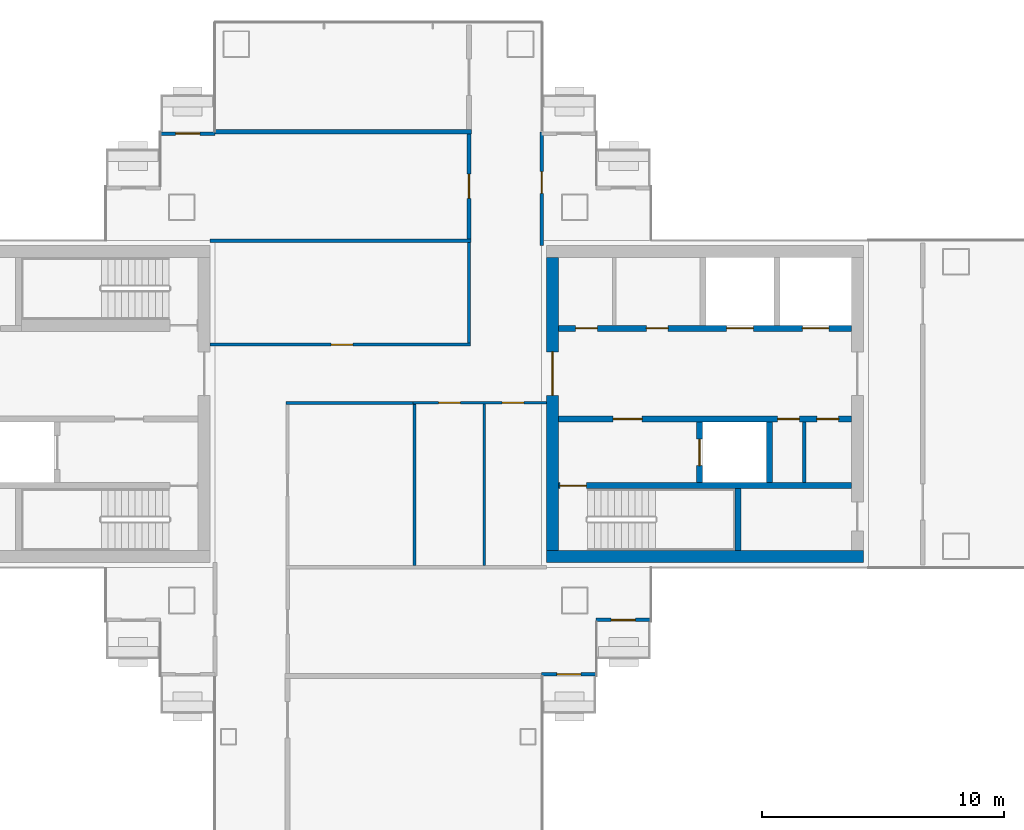
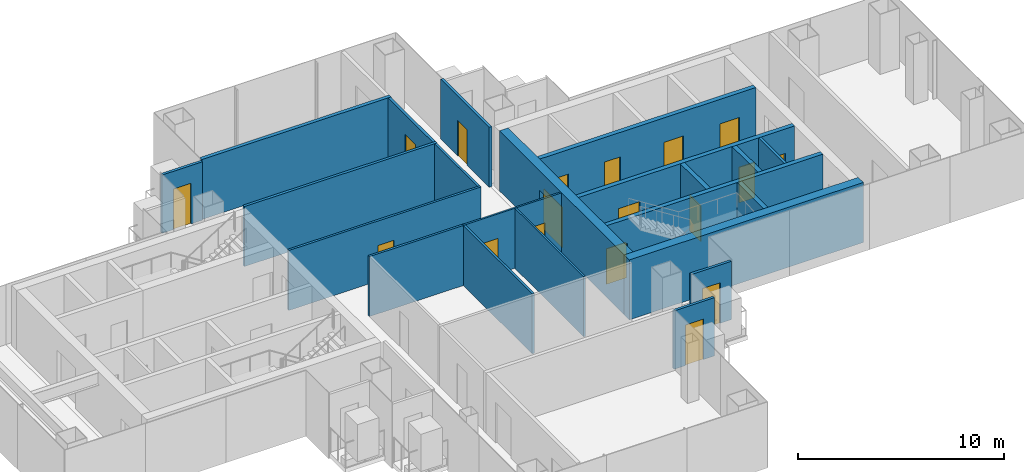
# One storey, part 10 of 16: 22 walls, 18 doors, 18 openings.
"""IFC4 building model written with IfcOpenShell, lengths in metres."""

from ifc_helpers import new_model, si_unit, direction, frame, frame_2d, origin, place, context, subcontext, project, spatial, rectangle, extrude, material, layer, layer_set, type_object, element, fill, save


model = new_model("IFC4")

# Units and contexts
model_context = context("Model", 3, precision=1e-05, world=origin(), true_north=direction((0.0, 1.0)))
body_context = subcontext(model_context, "Body", "Model", "MODEL_VIEW")
ifc_project = project(units=[si_unit("LENGTHUNIT", "METRE"), si_unit("AREAUNIT", "SQUARE_METRE"), si_unit("VOLUMEUNIT", "CUBIC_METRE"), si_unit("PLANEANGLEUNIT", "RADIAN"), si_unit("MASSUNIT", "GRAM", prefix="KILO")], contexts=[model_context])

# Site, building, storey
site_placement = place(None, origin())
site = spatial("IfcSite", under=ifc_project, at=site_placement, CompositionType="ELEMENT")
building_placement = place(site_placement, origin())
building = spatial("IfcBuilding", under=site, at=building_placement, Name="Shamsa Quay Exchange Towers", CompositionType="ELEMENT")
storey_placement = place(building_placement, frame((0.0, 0.0, 142.800048828125)))
storey = spatial("IfcBuildingStorey", under=building, at=storey_placement, Name="L33", CompositionType="ELEMENT", Elevation=142.800048828125)

# Wall
ifc_material_1 = material(Name="Double-leaf gypsum board partition with acoustic insulation")
ifc_layer_1 = layer(ifc_material_1, 0.199951171875)
ifc_layer_set_1 = layer_set([ifc_layer_1], Name="Acoustic partition 200 mm EI 60")
wall_type_1 = type_object("IfcWallType", Name="Acoustic partition 200 mm EI 60", PredefinedType="PARTITIONING", material=ifc_layer_set_1)
wall_1_placement = place(storey_placement, frame((-29.89990234375, 11.25, 0.0), z_axis=(0.0, 0.0, 1.0), x_axis=(-1.0, 0.0, 0.0)))
element("IfcWall", 1, at=wall_1_placement, inside=storey, type_object=wall_type_1, Name="Partition T1-R15-W13", PredefinedType="PARTITIONING", context=body_context, shape_type="SweptSolid", body=[
    extrude(rectangle(XDim=10.60009765625, YDim=0.199951171875, at=frame_2d((5.300048828125, 0.0))), origin(), (0.0, 0.0, 1.0), 3.550048828125),
])

# Wall, opening, door
ifc_material_2 = material(Name="Aluminium EN AW-6063 T6, black anodised, with black enamelled glass infill", Category="aluminium")
ifc_layer_2 = layer(ifc_material_2, 0.14990234375)
ifc_layer_set_2 = layer_set([ifc_layer_2], Name="BALCONY DOOR BAY WALL 150")
wall_type_2 = type_object("IfcWallType", Name="BALCONY DOOR BAY WALL 150", PredefinedType="SOLIDWALL", material=ifc_layer_set_2)
wall_2_placement = place(storey_placement, frame((-22.5, -8.925048828125, 0.0), z_axis=(0.0, 0.0, 1.0), x_axis=(-1.0, 0.0, 0.0)))
wall_2 = element("IfcWall", 2, at=wall_2_placement, inside=storey, type_object=wall_type_2, Name="Door bay T1-PKES L33", PredefinedType="SOLIDWALL", context=body_context, shape_type="SweptSolid", body=[
    extrude(rectangle(XDim=2.25, YDim=0.14990234375, at=frame_2d((1.125, 0.0))), origin(), (0.0, 0.0, 1.0), 3.449951171875),
])
opening_1_placement = place(wall_2_placement, frame((0.625, 0.0, 0.0)))
opening_1 = element("IfcOpeningElement", 3, at=opening_1_placement, cuts=wall_2, Name="Opening XD211", PredefinedType="OPENING", context=body_context, shape_type="SweptSolid", body=[
    extrude(rectangle(XDim=1.0, YDim=2.39990234375, at=frame_2d((0.5, 1.199951171875))), frame((0.0, 0.0849609375, 0.0), z_axis=(0.0, -1.0, 0.0), x_axis=(1.0, 0.0, 0.0)), (0.0, 0.0, 1.0), 0.169921875),
])
ifc_material_3 = material(Name="Aluminium EN AW-6063 T6, black anodised, with laminated glass leaf", Category="aluminium")
door_type_1 = type_object("IfcDoorType", Name="BALCONY DOOR 1000x2400", OperationType="SINGLE_SWING_LEFT", PredefinedType="DOOR", material=ifc_material_3)
door_1_placement = place(opening_1_placement, origin())
door_1 = element("IfcDoor", 4, at=door_1_placement, inside=storey, type_object=door_type_1, Name="Balcony door T1-PKES L33", OperationType="SINGLE_SWING_RIGHT", OverallHeight=2.39990234375, OverallWidth=1.0, PredefinedType="DOOR", context=body_context, shape_type="SweptSolid", body=[
    extrude(rectangle(XDim=1.0, YDim=2.39990234375, at=frame_2d((0.5, 1.199951171875))), frame((0.0, 0.02490234375, 0.0), z_axis=(0.0, -1.0, 0.0), x_axis=(1.0, 0.0, 0.0)), (0.0, 0.0, 1.0), 0.050048828125),
])
fill(opening_1, door_1)

wall_3_placement = place(storey_placement, frame((-24.75, -11.175048828125, 0.0), z_axis=(0.0, 0.0, 1.0), x_axis=(-1.0, 0.0, 0.0)))
wall_3 = element("IfcWall", 5, at=wall_3_placement, inside=storey, type_object=wall_type_2, Name="Door bay T1-PKES L33", PredefinedType="SOLIDWALL", context=body_context, shape_type="SweptSolid", body=[
    extrude(rectangle(XDim=2.25, YDim=0.14990234375, at=frame_2d((1.125, 0.0))), origin(), (0.0, 0.0, 1.0), 3.449951171875),
])
opening_2_placement = place(wall_3_placement, frame((0.625, 0.0, 0.0)))
opening_2 = element("IfcOpeningElement", 6, at=opening_2_placement, cuts=wall_3, Name="Opening XD212", PredefinedType="OPENING", context=body_context, shape_type="SweptSolid", body=[
    extrude(rectangle(XDim=1.0, YDim=2.39990234375, at=frame_2d((0.5, 1.199951171875))), frame((0.0, 0.0849609375, 0.0), z_axis=(0.0, -1.0, 0.0), x_axis=(1.0, 0.0, 0.0)), (0.0, 0.0, 1.0), 0.169921875),
])
door_2_placement = place(opening_2_placement, origin())
door_2 = element("IfcDoor", 7, at=door_2_placement, inside=storey, type_object=door_type_1, Name="Balcony door T1-PKES L33", OperationType="SINGLE_SWING_LEFT", OverallHeight=2.39990234375, OverallWidth=1.0, PredefinedType="DOOR", context=body_context, shape_type="SweptSolid", body=[
    extrude(rectangle(XDim=1.0, YDim=2.39990234375, at=frame_2d((0.5, 1.199951171875))), frame((0.0, 0.02490234375, 0.0), z_axis=(0.0, -1.0, 0.0), x_axis=(1.0, 0.0, 0.0)), (0.0, 0.0, 1.0), 0.050048828125),
])
fill(opening_2, door_2)

wall_4_placement = place(storey_placement, frame((-42.75, 11.175048828125, 0.0)))
wall_4 = element("IfcWall", 8, at=wall_4_placement, inside=storey, type_object=wall_type_2, Name="Door bay T1-PKWN L33", PredefinedType="SOLIDWALL", context=body_context, shape_type="SweptSolid", body=[
    extrude(rectangle(XDim=2.25, YDim=0.14990234375, at=frame_2d((1.125, 0.0))), origin(), (0.0, 0.0, 1.0), 3.449951171875),
])
opening_3_placement = place(wall_4_placement, frame((0.625, 0.0, 0.0)))
opening_3 = element("IfcOpeningElement", 9, at=opening_3_placement, cuts=wall_4, Name="Opening XD213", PredefinedType="OPENING", context=body_context, shape_type="SweptSolid", body=[
    extrude(rectangle(XDim=1.0, YDim=2.39990234375, at=frame_2d((0.5, 1.199951171875))), frame((0.0, 0.0849609375, 0.0), z_axis=(0.0, -1.0, 0.0), x_axis=(1.0, 0.0, 0.0)), (0.0, 0.0, 1.0), 0.169921875),
])
door_3_placement = place(opening_3_placement, origin())
door_3 = element("IfcDoor", 10, at=door_3_placement, inside=storey, type_object=door_type_1, Name="Balcony door T1-PKWN L33", OperationType="SINGLE_SWING_LEFT", OverallHeight=2.39990234375, OverallWidth=1.0, PredefinedType="DOOR", context=body_context, shape_type="SweptSolid", body=[
    extrude(rectangle(XDim=1.0, YDim=2.39990234375, at=frame_2d((0.5, 1.199951171875))), frame((0.0, 0.02490234375, 0.0), z_axis=(0.0, -1.0, 0.0), x_axis=(1.0, 0.0, 0.0)), (0.0, 0.0, 1.0), 0.050048828125),
])
fill(opening_3, door_3)

# Wall
ifc_material_4 = material(Name="Concrete C60/75", Category="concrete")
ifc_layer_3 = layer(ifc_material_4, 0.5)
ifc_layer_set_3 = layer_set([ifc_layer_3], Name="CORE WALL 500 C60/75")
wall_type_3 = type_object("IfcWallType", Name="CORE WALL 500 C60/75", PredefinedType="SHEAR", material=ifc_layer_set_3)
wall_5_placement = place(storey_placement, frame((-26.800048828125, -6.300048828125, 0.0)))
element("IfcWall", 11, at=wall_5_placement, inside=storey, type_object=wall_type_3, Name="Core wall T1A-R15-PS", PredefinedType="SHEAR", context=body_context, shape_type="SweptSolid", body=[
    extrude(rectangle(XDim=13.10009765625, YDim=0.5, at=frame_2d((6.550048828125, 0.0))), origin(), (0.0, 0.0, 1.0), 3.550048828125),
])

# Wall, opening, door
wall_6_placement = place(storey_placement, frame((-26.550048828125, 6.050048828125, 0.0), z_axis=(0.0, 0.0, 1.0), x_axis=(0.0, -1.0, 0.0)))
wall_6 = element("IfcWall", 12, at=wall_6_placement, inside=storey, type_object=wall_type_3, Name="Core wall T1A-R15-PF", PredefinedType="SHEAR", context=body_context, shape_type="SweptSolid", body=[
    extrude(rectangle(XDim=12.10009765625, YDim=0.5, at=frame_2d((6.050048828125, 0.0))), origin(), (0.0, 0.0, 1.0), 3.550048828125),
])
opening_4_placement = place(wall_6_placement, frame((3.89990234375, 0.0, 0.0)))
opening_4 = element("IfcOpeningElement", 13, at=opening_4_placement, cuts=wall_6, Name="Opening T1A-R15-LBD01", PredefinedType="OPENING", context=body_context, shape_type="SweptSolid", body=[
    extrude(rectangle(XDim=1.800048828125, YDim=2.39990234375, at=frame_2d((0.89990234375, 1.199951171875))), frame((0.0, 0.260009765625, 0.0), z_axis=(0.0, -1.0, 0.0), x_axis=(1.0, 0.0, 0.0)), (0.0, 0.0, 1.0), 0.52001953125),
])
ifc_material_5 = material(Name="Steel, fire rated", Category="steel")
door_type_2 = type_object("IfcDoorType", Name="LIFT LOBBY DOOR PAIR 1800", OperationType="DOUBLE_DOOR_SINGLE_SWING", PredefinedType="DOOR", material=ifc_material_5)
door_4_placement = place(opening_4_placement, origin())
door_4 = element("IfcDoor", 14, at=door_4_placement, inside=storey, type_object=door_type_2, Name="T1A-R15-LBD01", OperationType="DOUBLE_DOOR_SINGLE_SWING", OverallHeight=2.39990234375, OverallWidth=1.800048828125, PredefinedType="DOOR", context=body_context, shape_type="SweptSolid", body=[
    extrude(rectangle(XDim=1.800048828125, YDim=2.39990234375, at=frame_2d((0.89990234375, 1.199951171875))), frame((0.0, 0.02490234375, 0.0), z_axis=(0.0, -1.0, 0.0), x_axis=(1.0, 0.0, 0.0)), (0.0, 0.0, 1.0), 0.050048828125),
])
fill(opening_4, door_4)

# Wall
ifc_material_6 = material(Name="Gypsum board on steel studs, EI 60", Category="steel")
ifc_layer_4 = layer(ifc_material_6, 0.14990234375)
ifc_layer_set_4 = layer_set([ifc_layer_4], Name="FIRE PARTITION 150")
wall_type_4 = type_object("IfcWallType", Name="FIRE PARTITION 150", PredefinedType="PARTITIONING", material=ifc_layer_set_4)
wall_7_placement = place(storey_placement, frame((-16.14990234375, -3.25, 0.0), z_axis=(0.0, 0.0, 1.0), x_axis=(0.0, 1.0, 0.0)))
element("IfcWall", 15, at=wall_7_placement, inside=storey, type_object=wall_type_4, Name="Partition T1A-R15-EC0", PredefinedType="PARTITIONING", context=body_context, shape_type="SweptSolid", body=[
    extrude(rectangle(XDim=2.5, YDim=0.14990234375, at=frame_2d((1.25, 0.0))), origin(), (0.0, 0.0, 1.0), 3.550048828125),
])

# Wall, opening, door
ifc_material_7 = material(Name="Laminated fire-resisting glass in a metal frame", Category="glass")
ifc_layer_5 = layer(ifc_material_7, 0.125)
ifc_layer_set_5 = layer_set([ifc_layer_5], Name="Glazed partition 125 mm EI 60")
wall_type_5 = type_object("IfcWallType", Name="Glazed partition 125 mm EI 60", PredefinedType="PARTITIONING", material=ifc_layer_set_5)
wall_8_placement = place(storey_placement, frame((-40.699951171875, 2.4501953125, 0.0)))
wall_8 = element("IfcWall", 16, at=wall_8_placement, inside=storey, type_object=wall_type_5, Name="Partition T1-R15-W03", PredefinedType="PARTITIONING", context=body_context, shape_type="SweptSolid", body=[
    extrude(rectangle(XDim=10.762451171875, YDim=0.125, at=frame_2d((5.38134765625, 0.0))), origin(), (0.0, 0.0, 1.0), 3.550048828125),
])
opening_5_placement = place(wall_8_placement, frame((5.0, 0.0, 0.0)))
opening_5 = element("IfcOpeningElement", 17, at=opening_5_placement, cuts=wall_8, Name="Opening T1-R15-D02", PredefinedType="OPENING", context=body_context, shape_type="SweptSolid", body=[
    extrude(rectangle(XDim=0.89990234375, YDim=2.10009765625, at=frame_2d((0.449951171875, 1.050048828125))), frame((0.0, 0.072509765625, 0.0), z_axis=(0.0, -1.0, 0.0), x_axis=(1.0, 0.0, 0.0)), (0.0, 0.0, 1.0), 0.14501953125),
])
ifc_material_8 = material(Name="Timber door leaf in a metal frame", Category="wood")
door_type_3 = type_object("IfcDoorType", Name="Door 900x2100 FD30S", OperationType="NOTDEFINED", PredefinedType="DOOR", material=ifc_material_8)
door_5_placement = place(opening_5_placement, origin())
door_5 = element("IfcDoor", 18, at=door_5_placement, inside=storey, type_object=door_type_3, Name="Door T1-R15-D02", OperationType="SINGLE_SWING_LEFT", OverallHeight=2.10009765625, OverallWidth=0.89990234375, PredefinedType="DOOR", context=body_context, shape_type="SweptSolid", body=[
    extrude(rectangle(XDim=0.89990234375, YDim=2.10009765625, at=frame_2d((0.449951171875, 1.050048828125))), frame((0.0, 0.02490234375, 0.0), z_axis=(0.0, -1.0, 0.0), x_axis=(1.0, 0.0, 0.0)), (0.0, 0.0, 1.0), 0.050048828125),
])
fill(opening_5, door_5)

# Walls
wall_9_placement = place(storey_placement, frame((-30.0, 2.5126953125, 0.0), z_axis=(0.0, 0.0, 1.0), x_axis=(0.0, 1.0, 0.0)))
element("IfcWall", 19, at=wall_9_placement, inside=storey, type_object=wall_type_5, Name="Partition T1-R15-W04", PredefinedType="PARTITIONING", context=body_context, shape_type="SweptSolid", body=[
    extrude(rectangle(XDim=4.162353515625, YDim=0.125, at=frame_2d((2.0810546875, 0.0))), origin(), (0.0, 0.0, 1.0), 3.550048828125),
])
wall_10_placement = place(storey_placement, frame((-32.1875, 0.0498046875, 0.0), z_axis=(0.0, 0.0, 1.0), x_axis=(-1.0, 0.0, 0.0)))
element("IfcWall", 20, at=wall_10_placement, inside=storey, type_object=wall_type_5, Name="Partition T1-R15-W07", PredefinedType="PARTITIONING", context=body_context, shape_type="SweptSolid", body=[
    extrude(rectangle(XDim=5.375, YDim=0.125, at=frame_2d((2.6875, 0.0))), origin(), (0.0, 0.0, 1.0), 3.550048828125),
])
wall_11_placement = place(storey_placement, frame((-32.25, -6.675048828125, 0.0), z_axis=(0.0, 0.0, 1.0), x_axis=(0.0, 1.0, 0.0)))
element("IfcWall", 21, at=wall_11_placement, inside=storey, type_object=wall_type_5, Name="Partition T1-R15-W17", PredefinedType="PARTITIONING", context=body_context, shape_type="SweptSolid", body=[
    extrude(rectangle(XDim=6.662353515625, YDim=0.125, at=frame_2d((3.3310546875, 0.0))), origin(), (0.0, 0.0, 1.0), 3.550048828125),
])

# Wall, openings, doors
ifc_material_9 = material(Name="Gypsum board partition on metal studs")
ifc_layer_6 = layer(ifc_material_9, 0.10009765625)
ifc_layer_set_6 = layer_set([ifc_layer_6], Name="Partition 100 mm NOT RATED")
wall_type_6 = type_object("IfcWallType", Name="Partition 100 mm NOT RATED", PredefinedType="PARTITIONING", material=ifc_layer_set_6)
wall_12_placement = place(storey_placement, frame((-26.800048828125, 0.0498046875, 0.0), z_axis=(0.0, 0.0, 1.0), x_axis=(-1.0, 0.0, 0.0)))
wall_12 = element("IfcWall", 22, at=wall_12_placement, inside=storey, type_object=wall_type_6, Name="Partition T1-R15-W09", PredefinedType="PARTITIONING", context=body_context, shape_type="SweptSolid", body=[
    extrude(rectangle(XDim=5.512451171875, YDim=0.10009765625, at=frame_2d((2.75634765625, 0.0))), origin(), (0.0, 0.0, 1.0), 3.550048828125),
])
opening_6_placement = place(wall_12_placement, frame((0.9375, 0.0, 0.0)))
opening_6 = element("IfcOpeningElement", 23, at=opening_6_placement, cuts=wall_12, Name="Opening T1-R15-D09", PredefinedType="OPENING", context=body_context, shape_type="SweptSolid", body=[
    extrude(rectangle(XDim=0.89990234375, YDim=2.10009765625, at=frame_2d((0.449951171875, 1.050048828125))), frame((0.0, 0.06005859375, 0.0), z_axis=(0.0, -1.0, 0.0), x_axis=(1.0, 0.0, 0.0)), (0.0, 0.0, 1.0), 0.1201171875),
])
opening_7_placement = place(wall_12_placement, frame((3.5625, 0.0, 0.0)))
opening_7 = element("IfcOpeningElement", 24, at=opening_7_placement, cuts=wall_12, Name="Opening T1-R15-D10", PredefinedType="OPENING", context=body_context, shape_type="SweptSolid", body=[
    extrude(rectangle(XDim=0.89990234375, YDim=2.10009765625, at=frame_2d((0.449951171875, 1.050048828125))), frame((0.0, 0.06005859375, 0.0), z_axis=(0.0, -1.0, 0.0), x_axis=(1.0, 0.0, 0.0)), (0.0, 0.0, 1.0), 0.1201171875),
])
door_type_4 = type_object("IfcDoorType", Name="Door 900x2100 NOT RATED", OperationType="NOTDEFINED", PredefinedType="DOOR", material=ifc_material_8)
door_6_placement = place(opening_6_placement, origin())
door_6 = element("IfcDoor", 25, at=door_6_placement, inside=storey, type_object=door_type_4, Name="Door T1-R15-D09", OperationType="SINGLE_SWING_LEFT", OverallHeight=2.10009765625, OverallWidth=0.89990234375, PredefinedType="DOOR", context=body_context, shape_type="SweptSolid", body=[
    extrude(rectangle(XDim=0.89990234375, YDim=2.10009765625, at=frame_2d((0.449951171875, 1.050048828125))), frame((0.0, 0.02490234375, 0.0), z_axis=(0.0, -1.0, 0.0), x_axis=(1.0, 0.0, 0.0)), (0.0, 0.0, 1.0), 0.050048828125),
])
fill(opening_6, door_6)
door_7_placement = place(opening_7_placement, origin())
door_7 = element("IfcDoor", 26, at=door_7_placement, inside=storey, type_object=door_type_4, Name="Door T1-R15-D10", OperationType="SINGLE_SWING_RIGHT", OverallHeight=2.10009765625, OverallWidth=0.89990234375, PredefinedType="DOOR", context=body_context, shape_type="SweptSolid", body=[
    extrude(rectangle(XDim=0.89990234375, YDim=2.10009765625, at=frame_2d((0.449951171875, 1.050048828125))), frame((0.0, 0.02490234375, 0.0), z_axis=(0.0, -1.0, 0.0), x_axis=(1.0, 0.0, 0.0)), (0.0, 0.0, 1.0), 0.050048828125),
])
fill(opening_7, door_7)

# Wall
wall_13_placement = place(storey_placement, frame((-29.375, -6.675048828125, 0.0), z_axis=(0.0, 0.0, 1.0), x_axis=(0.0, 1.0, 0.0)))
element("IfcWall", 27, at=wall_13_placement, inside=storey, type_object=wall_type_6, Name="Partition T1-R15-W18", PredefinedType="PARTITIONING", context=body_context, shape_type="SweptSolid", body=[
    extrude(rectangle(XDim=6.6748046875, YDim=0.10009765625, at=frame_2d((3.33740234375, 0.0))), origin(), (0.0, 0.0, 1.0), 3.550048828125),
])

# Wall, opening, door
ifc_layer_7 = layer(ifc_material_9, 0.14990234375)
ifc_layer_set_7 = layer_set([ifc_layer_7], Name="Partition 150 mm EI 60")
wall_type_7 = type_object("IfcWallType", Name="Partition 150 mm EI 60", PredefinedType="PARTITIONING", material=ifc_layer_set_7)
wall_14_placement = place(storey_placement, frame((-30.0, 6.824951171875, 0.0), z_axis=(0.0, 0.0, 1.0), x_axis=(0.0, 1.0, 0.0)))
wall_14 = element("IfcWall", 28, at=wall_14_placement, inside=storey, type_object=wall_type_7, Name="Partition T1-R15-W01", PredefinedType="PARTITIONING", context=body_context, shape_type="SweptSolid", body=[
    extrude(rectangle(XDim=4.324951171875, YDim=0.14990234375, at=frame_2d((2.16259765625, 0.0))), origin(), (0.0, 0.0, 1.0), 3.550048828125),
])
opening_8_placement = place(wall_14_placement, frame((1.675048828125, 0.0, 0.0)))
opening_8 = element("IfcOpeningElement", 29, at=opening_8_placement, cuts=wall_14, Name="Opening T1-R15-D07", PredefinedType="OPENING", context=body_context, shape_type="SweptSolid", body=[
    extrude(rectangle(XDim=1.0, YDim=2.39990234375, at=frame_2d((0.5, 1.199951171875))), frame((0.0, 0.0849609375, 0.0), z_axis=(0.0, -1.0, 0.0), x_axis=(1.0, 0.0, 0.0)), (0.0, 0.0, 1.0), 0.169921875),
])
door_type_5 = type_object("IfcDoorType", Name="Door 1000x2400 FD30S", OperationType="NOTDEFINED", PredefinedType="DOOR", material=ifc_material_8)
door_8_placement = place(opening_8_placement, origin())
door_8 = element("IfcDoor", 30, at=door_8_placement, inside=storey, type_object=door_type_5, Name="Door T1-R15-D07", OperationType="SINGLE_SWING_RIGHT", OverallHeight=2.39990234375, OverallWidth=1.0, PredefinedType="DOOR", context=body_context, shape_type="SweptSolid", body=[
    extrude(rectangle(XDim=1.0, YDim=2.39990234375, at=frame_2d((0.5, 1.199951171875))), frame((0.0, 0.02490234375, 0.0), z_axis=(0.0, -1.0, 0.0), x_axis=(1.0, 0.0, 0.0)), (0.0, 0.0, 1.0), 0.050048828125),
])
fill(opening_8, door_8)

wall_15_placement = place(storey_placement, frame((-27.0, 11.25, 0.0), z_axis=(0.0, 0.0, 1.0), x_axis=(0.0, -1.0, 0.0)))
wall_15 = element("IfcWall", 31, at=wall_15_placement, inside=storey, type_object=wall_type_7, Name="Partition T1-R15-W11", PredefinedType="PARTITIONING", context=body_context, shape_type="SweptSolid", body=[
    extrude(rectangle(XDim=4.699951171875, YDim=0.14990234375, at=frame_2d((2.35009765625, 0.0))), origin(), (0.0, 0.0, 1.0), 3.550048828125),
])
opening_9_placement = place(wall_15_placement, frame((1.64990234375, 0.0, 0.0)))
opening_9 = element("IfcOpeningElement", 32, at=opening_9_placement, cuts=wall_15, Name="Opening T1-R15-D11", PredefinedType="OPENING", context=body_context, shape_type="SweptSolid", body=[
    extrude(rectangle(XDim=0.89990234375, YDim=2.10009765625, at=frame_2d((0.449951171875, 1.050048828125))), frame((0.0, 0.0849609375, 0.0), z_axis=(0.0, -1.0, 0.0), x_axis=(1.0, 0.0, 0.0)), (0.0, 0.0, 1.0), 0.169921875),
])
door_9_placement = place(opening_9_placement, origin())
door_9 = element("IfcDoor", 33, at=door_9_placement, inside=storey, type_object=door_type_3, Name="Door T1-R15-D11", OperationType="SINGLE_SWING_RIGHT", OverallHeight=2.10009765625, OverallWidth=0.89990234375, PredefinedType="DOOR", context=body_context, shape_type="SweptSolid", body=[
    extrude(rectangle(XDim=0.89990234375, YDim=2.10009765625, at=frame_2d((0.449951171875, 1.050048828125))), frame((0.0, 0.02490234375, 0.0), z_axis=(0.0, -1.0, 0.0), x_axis=(1.0, 0.0, 0.0)), (0.0, 0.0, 1.0), 0.050048828125),
])
fill(opening_9, door_9)

# Wall
wall_16_placement = place(storey_placement, frame((-40.699951171875, 6.75, 0.0)))
element("IfcWall", 34, at=wall_16_placement, inside=storey, type_object=wall_type_7, Name="Partition T1-R15-W14", PredefinedType="PARTITIONING", context=body_context, shape_type="SweptSolid", body=[
    extrude(rectangle(XDim=10.77490234375, YDim=0.14990234375, at=frame_2d((5.387451171875, 0.0))), origin(), (0.0, 0.0, 1.0), 3.550048828125),
])

# Wall, opening, door
ifc_material_10 = material(Name="Concrete C50/60", Category="concrete")
ifc_layer_8 = layer(ifc_material_10, 0.25)
ifc_layer_set_8 = layer_set([ifc_layer_8], Name="SHAFT WALL 250 C50/60")
wall_type_8 = type_object("IfcWallType", Name="SHAFT WALL 250 C50/60", PredefinedType="SHEAR", material=ifc_layer_set_8)
wall_17_placement = place(storey_placement, frame((-14.199951171875, -3.375, 0.0), z_axis=(0.0, 0.0, 1.0), x_axis=(-1.0, 0.0, 0.0)))
wall_17 = element("IfcWall", 35, at=wall_17_placement, inside=storey, type_object=wall_type_8, Name="Shaft wall T1A-R15-STL", PredefinedType="SHEAR", context=body_context, shape_type="SweptSolid", body=[
    extrude(rectangle(XDim=12.10009765625, YDim=0.25, at=frame_2d((6.050048828125, 0.0))), origin(), (0.0, 0.0, 1.0), 3.550048828125),
])
opening_10_placement = place(wall_17_placement, frame((10.949951171875, 0.0, 0.0)))
opening_10 = element("IfcOpeningElement", 36, at=opening_10_placement, cuts=wall_17, Name="Opening T1A-R15-SD04", PredefinedType="OPENING", context=body_context, shape_type="SweptSolid", body=[
    extrude(rectangle(XDim=1.10009765625, YDim=2.10009765625, at=frame_2d((0.550048828125, 1.050048828125))), frame((0.0, 0.135009765625, 0.0), z_axis=(0.0, -1.0, 0.0), x_axis=(1.0, 0.0, 0.0)), (0.0, 0.0, 1.0), 0.27001953125),
])
door_type_6 = type_object("IfcDoorType", Name="STAIR DOOR 1100", OperationType="SINGLE_SWING_LEFT", PredefinedType="DOOR", material=ifc_material_5)
door_10_placement = place(opening_10_placement, origin())
door_10 = element("IfcDoor", 37, at=door_10_placement, inside=storey, type_object=door_type_6, Name="T1A-R15-SD04", OperationType="SINGLE_SWING_RIGHT", OverallHeight=2.10009765625, OverallWidth=1.10009765625, PredefinedType="DOOR", context=body_context, shape_type="SweptSolid", body=[
    extrude(rectangle(XDim=1.10009765625, YDim=2.10009765625, at=frame_2d((0.550048828125, 1.050048828125))), frame((0.0, 0.02490234375, 0.0), z_axis=(0.0, -1.0, 0.0), x_axis=(1.0, 0.0, 0.0)), (0.0, 0.0, 1.0), 0.050048828125),
])
fill(opening_10, door_10)

# Wall
wall_18_placement = place(storey_placement, frame((-18.875, -6.050048828125, 0.0), z_axis=(0.0, 0.0, 1.0), x_axis=(0.0, 1.0, 0.0)))
element("IfcWall", 38, at=wall_18_placement, inside=storey, type_object=wall_type_8, Name="Shaft wall T1A-R15-STF", PredefinedType="SHEAR", context=body_context, shape_type="SweptSolid", body=[
    extrude(rectangle(XDim=2.550048828125, YDim=0.25, at=frame_2d((1.27490234375, 0.0))), origin(), (0.0, 0.0, 1.0), 3.550048828125),
])

# Wall, openings, doors
wall_19_placement = place(storey_placement, frame((-14.199951171875, -0.625, 0.0), z_axis=(0.0, 0.0, 1.0), x_axis=(-1.0, 0.0, 0.0)))
wall_19 = element("IfcWall", 39, at=wall_19_placement, inside=storey, type_object=wall_type_8, Name="Shaft wall T1A-R15-B", PredefinedType="SHEAR", context=body_context, shape_type="SweptSolid", body=[
    extrude(rectangle(XDim=12.10009765625, YDim=0.25, at=frame_2d((6.050048828125, 0.0))), origin(), (0.0, 0.0, 1.0), 3.550048828125),
])
opening_11_placement = place(wall_19_placement, frame((8.64990234375, 0.0, 0.0)))
opening_11 = element("IfcOpeningElement", 40, at=opening_11_placement, cuts=wall_19, Name="Opening T1A-R15-FD05", PredefinedType="OPENING", context=body_context, shape_type="SweptSolid", body=[
    extrude(rectangle(XDim=1.199951171875, YDim=2.10009765625, at=frame_2d((0.60009765625, 1.050048828125))), frame((0.0, 0.135009765625, 0.0), z_axis=(0.0, -1.0, 0.0), x_axis=(1.0, 0.0, 0.0)), (0.0, 0.0, 1.0), 0.27001953125),
])
opening_12_placement = place(wall_19_placement, frame((2.14990234375, 0.0, 0.0)))
opening_12 = element("IfcOpeningElement", 41, at=opening_12_placement, cuts=wall_19, Name="Opening T1A-R15-SV06", PredefinedType="OPENING", context=body_context, shape_type="SweptSolid", body=[
    extrude(rectangle(XDim=0.89990234375, YDim=2.10009765625, at=frame_2d((0.449951171875, 1.050048828125))), frame((0.0, 0.135009765625, 0.0), z_axis=(0.0, -1.0, 0.0), x_axis=(1.0, 0.0, 0.0)), (0.0, 0.0, 1.0), 0.27001953125),
])
opening_13_placement = place(wall_19_placement, frame((0.52490234375, 0.0, 0.0)))
opening_13 = element("IfcOpeningElement", 42, at=opening_13_placement, cuts=wall_19, Name="Opening T1A-R15-SV07", PredefinedType="OPENING", context=body_context, shape_type="SweptSolid", body=[
    extrude(rectangle(XDim=0.89990234375, YDim=2.10009765625, at=frame_2d((0.449951171875, 1.050048828125))), frame((0.0, 0.135009765625, 0.0), z_axis=(0.0, -1.0, 0.0), x_axis=(1.0, 0.0, 0.0)), (0.0, 0.0, 1.0), 0.27001953125),
])
door_type_7 = type_object("IfcDoorType", Name="FIRE SERVICE LOBBY DOOR 1200", OperationType="SINGLE_SWING_LEFT", PredefinedType="DOOR", material=ifc_material_5)
door_11_placement = place(opening_11_placement, origin())
door_11 = element("IfcDoor", 43, at=door_11_placement, inside=storey, type_object=door_type_7, Name="T1A-R15-FD05", OperationType="SINGLE_SWING_RIGHT", OverallHeight=2.10009765625, OverallWidth=1.199951171875, PredefinedType="DOOR", context=body_context, shape_type="SweptSolid", body=[
    extrude(rectangle(XDim=1.199951171875, YDim=2.10009765625, at=frame_2d((0.60009765625, 1.050048828125))), frame((0.0, 0.02490234375, 0.0), z_axis=(0.0, -1.0, 0.0), x_axis=(1.0, 0.0, 0.0)), (0.0, 0.0, 1.0), 0.050048828125),
])
fill(opening_11, door_11)
door_type_8 = type_object("IfcDoorType", Name="SERVICE ROOM DOOR 900", OperationType="SINGLE_SWING_LEFT", PredefinedType="DOOR", material=ifc_material_5)
door_12_placement = place(opening_12_placement, origin())
door_12 = element("IfcDoor", 44, at=door_12_placement, inside=storey, type_object=door_type_8, Name="T1A-R15-SV06", OperationType="SINGLE_SWING_LEFT", OverallHeight=2.10009765625, OverallWidth=0.89990234375, PredefinedType="DOOR", context=body_context, shape_type="SweptSolid", body=[
    extrude(rectangle(XDim=0.89990234375, YDim=2.10009765625, at=frame_2d((0.449951171875, 1.050048828125))), frame((0.0, 0.02490234375, 0.0), z_axis=(0.0, -1.0, 0.0), x_axis=(1.0, 0.0, 0.0)), (0.0, 0.0, 1.0), 0.050048828125),
])
fill(opening_12, door_12)
door_13_placement = place(opening_13_placement, origin())
door_13 = element("IfcDoor", 45, at=door_13_placement, inside=storey, type_object=door_type_8, Name="T1A-R15-SV07", OperationType="SINGLE_SWING_LEFT", OverallHeight=2.10009765625, OverallWidth=0.89990234375, PredefinedType="DOOR", context=body_context, shape_type="SweptSolid", body=[
    extrude(rectangle(XDim=0.89990234375, YDim=2.10009765625, at=frame_2d((0.449951171875, 1.050048828125))), frame((0.0, 0.02490234375, 0.0), z_axis=(0.0, -1.0, 0.0), x_axis=(1.0, 0.0, 0.0)), (0.0, 0.0, 1.0), 0.050048828125),
])
fill(opening_13, door_13)

# Wall, opening, door
wall_20_placement = place(storey_placement, frame((-20.47509765625, -3.25, 0.0), z_axis=(0.0, 0.0, 1.0), x_axis=(0.0, 1.0, 0.0)))
wall_20 = element("IfcWall", 46, at=wall_20_placement, inside=storey, type_object=wall_type_8, Name="Shaft wall T1A-R15-FFF", PredefinedType="SHEAR", context=body_context, shape_type="SweptSolid", body=[
    extrude(rectangle(XDim=2.5, YDim=0.25, at=frame_2d((1.25, 0.0))), origin(), (0.0, 0.0, 1.0), 3.550048828125),
])
opening_14_placement = place(wall_20_placement, frame((0.699951171875, 0.0, 0.0)))
opening_14 = element("IfcOpeningElement", 47, at=opening_14_placement, cuts=wall_20, Name="Opening T1A-R15-LDF08", PredefinedType="OPENING", context=body_context, shape_type="SweptSolid", body=[
    extrude(rectangle(XDim=1.10009765625, YDim=2.10009765625, at=frame_2d((0.550048828125, 1.050048828125))), frame((0.0, 0.135009765625, 0.0), z_axis=(0.0, -1.0, 0.0), x_axis=(1.0, 0.0, 0.0)), (0.0, 0.0, 1.0), 0.27001953125),
])
door_type_9 = type_object("IfcDoorType", Name="FIRE SERVICE LANDING DOOR 1100", OperationType="SLIDING_TO_LEFT", PredefinedType="DOOR", material=ifc_material_5)
door_14_placement = place(opening_14_placement, origin())
door_14 = element("IfcDoor", 48, at=door_14_placement, inside=storey, type_object=door_type_9, Name="T1A-R15-LDF08", OperationType="SLIDING_TO_LEFT", OverallHeight=2.10009765625, OverallWidth=1.10009765625, PredefinedType="DOOR", context=body_context, shape_type="SweptSolid", body=[
    extrude(rectangle(XDim=1.10009765625, YDim=2.10009765625, at=frame_2d((0.550048828125, 1.050048828125))), frame((0.0, 0.02490234375, 0.0), z_axis=(0.0, -1.0, 0.0), x_axis=(1.0, 0.0, 0.0)), (0.0, 0.0, 1.0), 0.050048828125),
])
fill(opening_14, door_14)

# Wall
wall_21_placement = place(storey_placement, frame((-17.574951171875, -3.25, 0.0), z_axis=(0.0, 0.0, 1.0), x_axis=(0.0, 1.0, 0.0)))
element("IfcWall", 49, at=wall_21_placement, inside=storey, type_object=wall_type_8, Name="Shaft wall T1A-R15-FFB", PredefinedType="SHEAR", context=body_context, shape_type="SweptSolid", body=[
    extrude(rectangle(XDim=2.5, YDim=0.25, at=frame_2d((1.25, 0.0))), origin(), (0.0, 0.0, 1.0), 3.550048828125),
])

# Wall, openings, doors
wall_22_placement = place(storey_placement, frame((-26.300048828125, 3.125, 0.0)))
wall_22 = element("IfcWall", 50, at=wall_22_placement, inside=storey, type_object=wall_type_8, Name="Shaft wall T1A-R15-N", PredefinedType="SHEAR", context=body_context, shape_type="SweptSolid", body=[
    extrude(rectangle(XDim=12.10009765625, YDim=0.25, at=frame_2d((6.050048828125, 0.0))), origin(), (0.0, 0.0, 1.0), 3.550048828125),
])
opening_15_placement = place(wall_22_placement, frame((6.949951171875, 0.0, 0.0)))
opening_15 = element("IfcOpeningElement", 51, at=opening_15_placement, cuts=wall_22, Name="Opening T1A-R15-LD09", PredefinedType="OPENING", context=body_context, shape_type="SweptSolid", body=[
    extrude(rectangle(XDim=1.10009765625, YDim=2.10009765625, at=frame_2d((0.550048828125, 1.050048828125))), frame((0.0, 0.135009765625, 0.0), z_axis=(0.0, -1.0, 0.0), x_axis=(1.0, 0.0, 0.0)), (0.0, 0.0, 1.0), 0.27001953125),
])
opening_16_placement = place(wall_22_placement, frame((10.074951171875, 0.0, 0.0)))
opening_16 = element("IfcOpeningElement", 52, at=opening_16_placement, cuts=wall_22, Name="Opening T1A-R15-LD10", PredefinedType="OPENING", context=body_context, shape_type="SweptSolid", body=[
    extrude(rectangle(XDim=1.10009765625, YDim=2.10009765625, at=frame_2d((0.550048828125, 1.050048828125))), frame((0.0, 0.135009765625, 0.0), z_axis=(0.0, -1.0, 0.0), x_axis=(1.0, 0.0, 0.0)), (0.0, 0.0, 1.0), 0.27001953125),
])
opening_17_placement = place(wall_22_placement, frame((0.699951171875, 0.0, 0.0)))
opening_17 = element("IfcOpeningElement", 53, at=opening_17_placement, cuts=wall_22, Name="Opening T1A-R15-SV11", PredefinedType="OPENING", context=body_context, shape_type="SweptSolid", body=[
    extrude(rectangle(XDim=0.89990234375, YDim=2.10009765625, at=frame_2d((0.449951171875, 1.050048828125))), frame((0.0, 0.135009765625, 0.0), z_axis=(0.0, -1.0, 0.0), x_axis=(1.0, 0.0, 0.0)), (0.0, 0.0, 1.0), 0.27001953125),
])
opening_18_placement = place(wall_22_placement, frame((3.625, 0.0, 0.0)))
opening_18 = element("IfcOpeningElement", 54, at=opening_18_placement, cuts=wall_22, Name="Opening T1A-R15-SV12", PredefinedType="OPENING", context=body_context, shape_type="SweptSolid", body=[
    extrude(rectangle(XDim=0.89990234375, YDim=2.10009765625, at=frame_2d((0.449951171875, 1.050048828125))), frame((0.0, 0.135009765625, 0.0), z_axis=(0.0, -1.0, 0.0), x_axis=(1.0, 0.0, 0.0)), (0.0, 0.0, 1.0), 0.27001953125),
])
door_type_10 = type_object("IfcDoorType", Name="LANDING DOOR 1100", OperationType="SLIDING_TO_LEFT", PredefinedType="DOOR", material=ifc_material_5)
door_15_placement = place(opening_15_placement, origin())
door_15 = element("IfcDoor", 55, at=door_15_placement, inside=storey, type_object=door_type_10, Name="T1A-R15-LD09", OperationType="SLIDING_TO_LEFT", OverallHeight=2.10009765625, OverallWidth=1.10009765625, PredefinedType="DOOR", context=body_context, shape_type="SweptSolid", body=[
    extrude(rectangle(XDim=1.10009765625, YDim=2.10009765625, at=frame_2d((0.550048828125, 1.050048828125))), frame((0.0, 0.02490234375, 0.0), z_axis=(0.0, -1.0, 0.0), x_axis=(1.0, 0.0, 0.0)), (0.0, 0.0, 1.0), 0.050048828125),
])
fill(opening_15, door_15)
door_16_placement = place(opening_16_placement, origin())
door_16 = element("IfcDoor", 56, at=door_16_placement, inside=storey, type_object=door_type_10, Name="T1A-R15-LD10", OperationType="SLIDING_TO_LEFT", OverallHeight=2.10009765625, OverallWidth=1.10009765625, PredefinedType="DOOR", context=body_context, shape_type="SweptSolid", body=[
    extrude(rectangle(XDim=1.10009765625, YDim=2.10009765625, at=frame_2d((0.550048828125, 1.050048828125))), frame((0.0, 0.02490234375, 0.0), z_axis=(0.0, -1.0, 0.0), x_axis=(1.0, 0.0, 0.0)), (0.0, 0.0, 1.0), 0.050048828125),
])
fill(opening_16, door_16)
door_17_placement = place(opening_17_placement, origin())
door_17 = element("IfcDoor", 57, at=door_17_placement, inside=storey, type_object=door_type_8, Name="T1A-R15-SV11", OperationType="SINGLE_SWING_LEFT", OverallHeight=2.10009765625, OverallWidth=0.89990234375, PredefinedType="DOOR", context=body_context, shape_type="SweptSolid", body=[
    extrude(rectangle(XDim=0.89990234375, YDim=2.10009765625, at=frame_2d((0.449951171875, 1.050048828125))), frame((0.0, 0.02490234375, 0.0), z_axis=(0.0, -1.0, 0.0), x_axis=(1.0, 0.0, 0.0)), (0.0, 0.0, 1.0), 0.050048828125),
])
fill(opening_17, door_17)
door_18_placement = place(opening_18_placement, origin())
door_18 = element("IfcDoor", 58, at=door_18_placement, inside=storey, type_object=door_type_8, Name="T1A-R15-SV12", OperationType="SINGLE_SWING_LEFT", OverallHeight=2.10009765625, OverallWidth=0.89990234375, PredefinedType="DOOR", context=body_context, shape_type="SweptSolid", body=[
    extrude(rectangle(XDim=0.89990234375, YDim=2.10009765625, at=frame_2d((0.449951171875, 1.050048828125))), frame((0.0, 0.02490234375, 0.0), z_axis=(0.0, -1.0, 0.0), x_axis=(1.0, 0.0, 0.0)), (0.0, 0.0, 1.0), 0.050048828125),
])
fill(opening_18, door_18)

save(model, "model.ifc")
